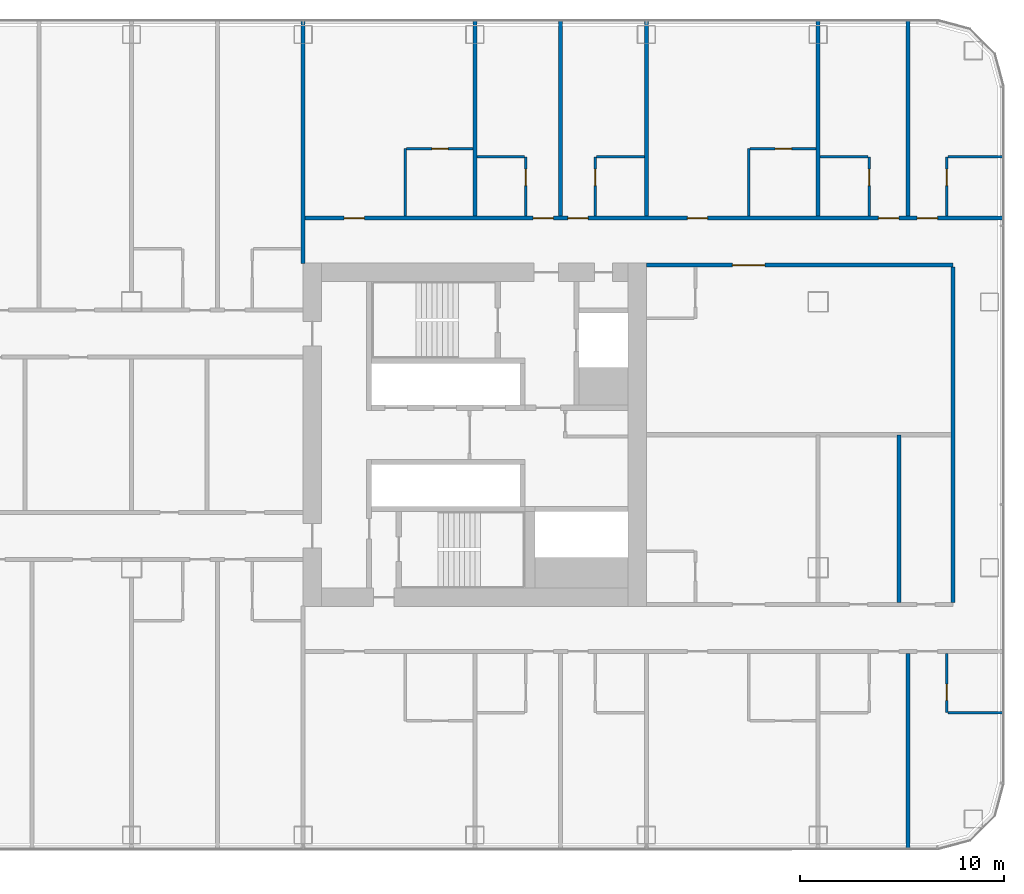
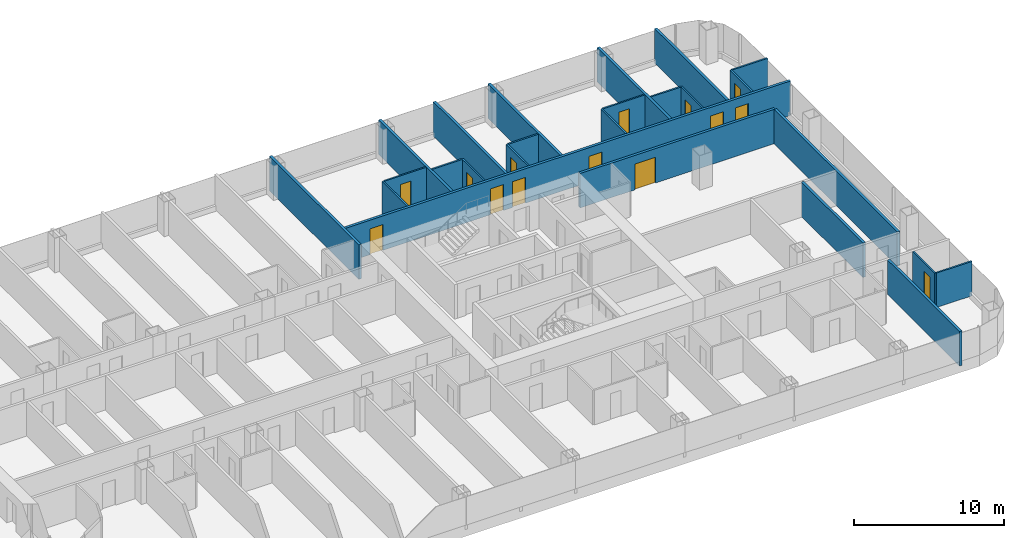
# One storey, part 19 of 28: 25 walls, 14 doors, 14 openings.
"""IFC4 building model written with IfcOpenShell, lengths in metres."""

from ifc_helpers import new_model, si_unit, direction, frame, frame_2d, origin, place, context, subcontext, project, spatial, rectangle, extrude, material, layer, layer_set, type_object, element, fill, save


model = new_model("IFC4")

# Units and contexts
model_context = context("Model", 3, precision=1e-05, world=origin(), true_north=direction((0.0, 1.0)))
body_context = subcontext(model_context, "Body", "Model", "MODEL_VIEW")
ifc_project = project(units=[si_unit("LENGTHUNIT", "METRE"), si_unit("AREAUNIT", "SQUARE_METRE"), si_unit("VOLUMEUNIT", "CUBIC_METRE"), si_unit("PLANEANGLEUNIT", "RADIAN"), si_unit("MASSUNIT", "GRAM", prefix="KILO")], contexts=[model_context])

# Site, building, storey
site_placement = place(None, origin())
site = spatial("IfcSite", under=ifc_project, at=site_placement, CompositionType="ELEMENT")
building_placement = place(site_placement, origin())
building = spatial("IfcBuilding", under=site, at=building_placement, Name="Hakoniwa Tower and Hamabe Station Hall", CompositionType="ELEMENT")
storey_placement = place(building_placement, frame((0.0, 0.0, 42.199951171875)))
storey = spatial("IfcBuildingStorey", under=building, at=storey_placement, Name="L11", CompositionType="ELEMENT", Elevation=42.199951171875)

# Walls
ifc_material_1 = material(Name="Gypsum board partition", Category="gypsum")
ifc_layer_1 = layer(ifc_material_1, 0.125)
ifc_layer_set_1 = layer_set([ifc_layer_1], Name="Bathroom Partition 125")
wall_type_1 = type_object("IfcWallType", Name="Bathroom Partition 125", PredefinedType="PARTITIONING", material=ifc_layer_set_1)
wall_1_placement = place(storey_placement, frame((48.362548828125, -13.60009765625, 0.0), z_axis=(0.0, 0.0, 1.0), x_axis=(1.0, 0.0, 0.0)))
element("IfcWall", 1, at=wall_1_placement, inside=storey, type_object=wall_type_1, Name="GW-L11-006", PredefinedType="PARTITIONING", context=body_context, shape_type="SweptSolid", body=[
    extrude(rectangle(XDim=2.737548828125, YDim=0.125, at=frame_2d((1.36865234375, 0.0))), origin(), (0.0, 0.0, 1.0), 2.800048828125),
])
for number, where, z_axis, x_axis, name in (
    (2, (25.300048828125, 13.60009765625, 0.0), (0.0, 0.0, 1.0), (1.0, 0.0, 0.0), "GW-L11-040"),
    (3, (31.16259765625, 13.60009765625, 0.0), (0.0, 0.0, 1.0), (1.0, 0.0, 0.0), "GW-L11-041"),
    (4, (42.10009765625, 13.60009765625, 0.0), (0.0, 0.0, 1.0), (1.0, 0.0, 0.0), "GW-L11-042"),
):
    element("IfcWall", number, at=place(storey_placement, frame(where, z_axis=z_axis, x_axis=x_axis)), inside=storey, type_object=wall_type_1, Name=name, PredefinedType="PARTITIONING", context=body_context, shape_type="SweptSolid", body=[
        extrude(rectangle(XDim=2.33740234375, YDim=0.125, at=frame_2d((1.168701171875, 0.0))), origin(), (0.0, 0.0, 1.0), 2.800048828125),
    ])
wall_2_placement = place(storey_placement, frame((48.362548828125, 13.60009765625, 0.0), z_axis=(0.0, 0.0, 1.0), x_axis=(1.0, 0.0, 0.0)))
element("IfcWall", 5, at=wall_2_placement, inside=storey, type_object=wall_type_1, Name="GW-L11-043", PredefinedType="PARTITIONING", context=body_context, shape_type="SweptSolid", body=[
    extrude(rectangle(XDim=2.737548828125, YDim=0.125, at=frame_2d((1.36865234375, 0.0))), origin(), (0.0, 0.0, 1.0), 2.800048828125),
])

# Wall, opening, door
wall_3_placement = place(storey_placement, frame((21.862548828125, 14.0, 0.0), z_axis=(0.0, 0.0, 1.0), x_axis=(1.0, 0.0, 0.0)))
wall_3 = element("IfcWall", 6, at=wall_3_placement, inside=storey, type_object=wall_type_1, Name="GW-L11-046", PredefinedType="PARTITIONING", context=body_context, shape_type="SweptSolid", body=[
    extrude(rectangle(XDim=3.237548828125, YDim=0.125, at=frame_2d((1.61865234375, 0.0))), origin(), (0.0, 0.0, 1.0), 2.800048828125),
])
opening_1_placement = place(wall_3_placement, frame((1.237548828125, 0.0, 0.0)))
opening_1 = element("IfcOpeningElement", 7, at=opening_1_placement, cuts=wall_3, Name="Opening GD-G1C1-66", PredefinedType="OPENING", context=body_context, shape_type="SweptSolid", body=[
    extrude(rectangle(XDim=0.800048828125, YDim=2.10009765625, at=frame_2d((0.39990234375, 1.050048828125))), frame((0.0, 0.072509765625, 0.0), z_axis=(0.0, -1.0, 0.0), x_axis=(1.0, 0.0, 0.0)), (0.0, 0.0, 1.0), 0.14501953125),
])
ifc_material_2 = material(Name="Timber door leaf", Category="wood")
door_type_1 = type_object("IfcDoorType", Name="Bathroom Door 800", OperationType="SINGLE_SWING_LEFT", PredefinedType="DOOR", material=ifc_material_2)
door_1_placement = place(opening_1_placement, origin())
door_1 = element("IfcDoor", 8, at=door_1_placement, inside=storey, type_object=door_type_1, Name="Door GD-G1C1-66", OperationType="SINGLE_SWING_RIGHT", OverallHeight=2.10009765625, OverallWidth=0.800048828125, PredefinedType="DOOR", context=body_context, shape_type="SweptSolid", body=[
    extrude(rectangle(XDim=0.800048828125, YDim=2.10009765625, at=frame_2d((0.39990234375, 1.050048828125))), frame((0.0, 0.02490234375, 0.0), z_axis=(0.0, -1.0, 0.0), x_axis=(1.0, 0.0, 0.0)), (0.0, 0.0, 1.0), 0.050048828125),
])
fill(opening_1, door_1)

wall_4_placement = place(storey_placement, frame((38.66259765625, 14.0, 0.0), z_axis=(0.0, 0.0, 1.0), x_axis=(1.0, 0.0, 0.0)))
wall_4 = element("IfcWall", 9, at=wall_4_placement, inside=storey, type_object=wall_type_1, Name="GW-L11-047", PredefinedType="PARTITIONING", context=body_context, shape_type="SweptSolid", body=[
    extrude(rectangle(XDim=3.2373046875, YDim=0.125, at=frame_2d((1.61865234375, 0.0))), origin(), (0.0, 0.0, 1.0), 2.800048828125),
])
opening_2_placement = place(wall_4_placement, frame((1.237548828125, 0.0, 0.0)))
opening_2 = element("IfcOpeningElement", 10, at=opening_2_placement, cuts=wall_4, Name="Opening GD-G1C1-67", PredefinedType="OPENING", context=body_context, shape_type="SweptSolid", body=[
    extrude(rectangle(XDim=0.800048828125, YDim=2.10009765625, at=frame_2d((0.39990234375, 1.050048828125))), frame((0.0, 0.072509765625, 0.0), z_axis=(0.0, -1.0, 0.0), x_axis=(1.0, 0.0, 0.0)), (0.0, 0.0, 1.0), 0.14501953125),
])
door_2_placement = place(opening_2_placement, origin())
door_2 = element("IfcDoor", 11, at=door_2_placement, inside=storey, type_object=door_type_1, Name="Door GD-G1C1-67", OperationType="SINGLE_SWING_LEFT", OverallHeight=2.10009765625, OverallWidth=0.800048828125, PredefinedType="DOOR", context=body_context, shape_type="SweptSolid", body=[
    extrude(rectangle(XDim=0.800048828125, YDim=2.10009765625, at=frame_2d((0.39990234375, 1.050048828125))), frame((0.0, 0.02490234375, 0.0), z_axis=(0.0, -1.0, 0.0), x_axis=(1.0, 0.0, 0.0)), (0.0, 0.0, 1.0), 0.050048828125),
])
fill(opening_2, door_2)

# Wall
wall_5_placement = place(storey_placement, frame((21.800048828125, 10.699951171875, 0.0), z_axis=(0.0, 0.0, 1.0), x_axis=(0.0, 1.0, 0.0)))
element("IfcWall", 12, at=wall_5_placement, inside=storey, type_object=wall_type_1, Name="GW-L11-106", PredefinedType="PARTITIONING", context=body_context, shape_type="SweptSolid", body=[
    extrude(rectangle(XDim=3.300048828125, YDim=0.125, at=frame_2d((1.64990234375, 0.0))), origin(), (0.0, 0.0, 1.0), 2.800048828125),
])

# Wall, opening, door
wall_6_placement = place(storey_placement, frame((27.699951171875, 10.699951171875, 0.0), z_axis=(0.0, 0.0, 1.0), x_axis=(0.0, 1.0, 0.0)))
wall_6 = element("IfcWall", 13, at=wall_6_placement, inside=storey, type_object=wall_type_1, Name="GW-L11-110", PredefinedType="PARTITIONING", context=body_context, shape_type="SweptSolid", body=[
    extrude(rectangle(XDim=2.900146484375, YDim=0.125, at=frame_2d((1.4501953125, 0.0))), origin(), (0.0, 0.0, 1.0), 2.800048828125),
])
opening_3_placement = place(wall_6_placement, frame((1.5, 0.0, 0.0)))
opening_3 = element("IfcOpeningElement", 14, at=opening_3_placement, cuts=wall_6, Name="Opening GD-G1C1-83", PredefinedType="OPENING", context=body_context, shape_type="SweptSolid", body=[
    extrude(rectangle(XDim=0.800048828125, YDim=2.10009765625, at=frame_2d((0.39990234375, 1.050048828125))), frame((0.0, 0.072509765625, 0.0), z_axis=(0.0, -1.0, 0.0), x_axis=(1.0, 0.0, 0.0)), (0.0, 0.0, 1.0), 0.14501953125),
])
door_3_placement = place(opening_3_placement, origin())
door_3 = element("IfcDoor", 15, at=door_3_placement, inside=storey, type_object=door_type_1, Name="Door GD-G1C1-83", OperationType="SINGLE_SWING_LEFT", OverallHeight=2.10009765625, OverallWidth=0.800048828125, PredefinedType="DOOR", context=body_context, shape_type="SweptSolid", body=[
    extrude(rectangle(XDim=0.800048828125, YDim=2.10009765625, at=frame_2d((0.39990234375, 1.050048828125))), frame((0.0, 0.02490234375, 0.0), z_axis=(0.0, -1.0, 0.0), x_axis=(1.0, 0.0, 0.0)), (0.0, 0.0, 1.0), 0.050048828125),
])
fill(opening_3, door_3)

wall_7_placement = place(storey_placement, frame((31.10009765625, 10.699951171875, 0.0), z_axis=(0.0, 0.0, 1.0), x_axis=(0.0, 1.0, 0.0)))
wall_7 = element("IfcWall", 16, at=wall_7_placement, inside=storey, type_object=wall_type_1, Name="GW-L11-114", PredefinedType="PARTITIONING", context=body_context, shape_type="SweptSolid", body=[
    extrude(rectangle(XDim=2.900146484375, YDim=0.125, at=frame_2d((1.4501953125, 0.0))), origin(), (0.0, 0.0, 1.0), 2.800048828125),
])
opening_4_placement = place(wall_7_placement, frame((1.5, 0.0, 0.0)))
opening_4 = element("IfcOpeningElement", 17, at=opening_4_placement, cuts=wall_7, Name="Opening GD-G1C1-85", PredefinedType="OPENING", context=body_context, shape_type="SweptSolid", body=[
    extrude(rectangle(XDim=0.800048828125, YDim=2.10009765625, at=frame_2d((0.39990234375, 1.050048828125))), frame((0.0, 0.072509765625, 0.0), z_axis=(0.0, -1.0, 0.0), x_axis=(1.0, 0.0, 0.0)), (0.0, 0.0, 1.0), 0.14501953125),
])
door_4_placement = place(opening_4_placement, origin())
door_4 = element("IfcDoor", 18, at=door_4_placement, inside=storey, type_object=door_type_1, Name="Door GD-G1C1-85", OperationType="SINGLE_SWING_RIGHT", OverallHeight=2.10009765625, OverallWidth=0.800048828125, PredefinedType="DOOR", context=body_context, shape_type="SweptSolid", body=[
    extrude(rectangle(XDim=0.800048828125, YDim=2.10009765625, at=frame_2d((0.39990234375, 1.050048828125))), frame((0.0, 0.02490234375, 0.0), z_axis=(0.0, -1.0, 0.0), x_axis=(1.0, 0.0, 0.0)), (0.0, 0.0, 1.0), 0.050048828125),
])
fill(opening_4, door_4)

# Wall
wall_8_placement = place(storey_placement, frame((38.60009765625, 10.699951171875, 0.0), z_axis=(0.0, 0.0, 1.0), x_axis=(0.0, 1.0, 0.0)))
element("IfcWall", 19, at=wall_8_placement, inside=storey, type_object=wall_type_1, Name="GW-L11-120", PredefinedType="PARTITIONING", context=body_context, shape_type="SweptSolid", body=[
    extrude(rectangle(XDim=3.300048828125, YDim=0.125, at=frame_2d((1.64990234375, 0.0))), origin(), (0.0, 0.0, 1.0), 2.800048828125),
])

# Wall, opening, door
wall_9_placement = place(storey_placement, frame((44.5, 10.699951171875, 0.0), z_axis=(0.0, 0.0, 1.0), x_axis=(0.0, 1.0, 0.0)))
wall_9 = element("IfcWall", 20, at=wall_9_placement, inside=storey, type_object=wall_type_1, Name="GW-L11-125", PredefinedType="PARTITIONING", context=body_context, shape_type="SweptSolid", body=[
    extrude(rectangle(XDim=2.900146484375, YDim=0.125, at=frame_2d((1.4501953125, 0.0))), origin(), (0.0, 0.0, 1.0), 2.800048828125),
])
opening_5_placement = place(wall_9_placement, frame((1.5, 0.0, 0.0)))
opening_5 = element("IfcOpeningElement", 21, at=opening_5_placement, cuts=wall_9, Name="Opening GD-G1C1-89", PredefinedType="OPENING", context=body_context, shape_type="SweptSolid", body=[
    extrude(rectangle(XDim=0.800048828125, YDim=2.10009765625, at=frame_2d((0.39990234375, 1.050048828125))), frame((0.0, 0.072509765625, 0.0), z_axis=(0.0, -1.0, 0.0), x_axis=(1.0, 0.0, 0.0)), (0.0, 0.0, 1.0), 0.14501953125),
])
door_5_placement = place(opening_5_placement, origin())
door_5 = element("IfcDoor", 22, at=door_5_placement, inside=storey, type_object=door_type_1, Name="Door GD-G1C1-89", OperationType="SINGLE_SWING_LEFT", OverallHeight=2.10009765625, OverallWidth=0.800048828125, PredefinedType="DOOR", context=body_context, shape_type="SweptSolid", body=[
    extrude(rectangle(XDim=0.800048828125, YDim=2.10009765625, at=frame_2d((0.39990234375, 1.050048828125))), frame((0.0, 0.02490234375, 0.0), z_axis=(0.0, -1.0, 0.0), x_axis=(1.0, 0.0, 0.0)), (0.0, 0.0, 1.0), 0.050048828125),
])
fill(opening_5, door_5)

wall_10_placement = place(storey_placement, frame((48.300048828125, -13.60009765625, 0.0), z_axis=(0.0, 0.0, 1.0), x_axis=(0.0, 1.0, 0.0)))
wall_10 = element("IfcWall", 23, at=wall_10_placement, inside=storey, type_object=wall_type_1, Name="GW-L11-129", PredefinedType="PARTITIONING", context=body_context, shape_type="SweptSolid", body=[
    extrude(rectangle(XDim=2.900146484375, YDim=0.125, at=frame_2d((1.4501953125, 0.0))), origin(), (0.0, 0.0, 1.0), 2.800048828125),
])
opening_6_placement = place(wall_10_placement, frame((0.60009765625, 0.0, 0.0)))
opening_6 = element("IfcOpeningElement", 24, at=opening_6_placement, cuts=wall_10, Name="Opening GD-G1C1-90", PredefinedType="OPENING", context=body_context, shape_type="SweptSolid", body=[
    extrude(rectangle(XDim=0.800048828125, YDim=2.10009765625, at=frame_2d((0.39990234375, 1.050048828125))), frame((0.0, 0.072509765625, 0.0), z_axis=(0.0, -1.0, 0.0), x_axis=(1.0, 0.0, 0.0)), (0.0, 0.0, 1.0), 0.14501953125),
])
door_6_placement = place(opening_6_placement, origin())
door_6 = element("IfcDoor", 25, at=door_6_placement, inside=storey, type_object=door_type_1, Name="Door GD-G1C1-90", OperationType="SINGLE_SWING_LEFT", OverallHeight=2.10009765625, OverallWidth=0.800048828125, PredefinedType="DOOR", context=body_context, shape_type="SweptSolid", body=[
    extrude(rectangle(XDim=0.800048828125, YDim=2.10009765625, at=frame_2d((0.39990234375, 1.050048828125))), frame((0.0, 0.02490234375, 0.0), z_axis=(0.0, -1.0, 0.0), x_axis=(1.0, 0.0, 0.0)), (0.0, 0.0, 1.0), 0.050048828125),
])
fill(opening_6, door_6)

wall_11_placement = place(storey_placement, frame((48.300048828125, 10.699951171875, 0.0), z_axis=(0.0, 0.0, 1.0), x_axis=(0.0, 1.0, 0.0)))
wall_11 = element("IfcWall", 26, at=wall_11_placement, inside=storey, type_object=wall_type_1, Name="GW-L11-130", PredefinedType="PARTITIONING", context=body_context, shape_type="SweptSolid", body=[
    extrude(rectangle(XDim=2.900146484375, YDim=0.125, at=frame_2d((1.4501953125, 0.0))), origin(), (0.0, 0.0, 1.0), 2.800048828125),
])
opening_7_placement = place(wall_11_placement, frame((1.5, 0.0, 0.0)))
opening_7 = element("IfcOpeningElement", 27, at=opening_7_placement, cuts=wall_11, Name="Opening GD-G1C1-91", PredefinedType="OPENING", context=body_context, shape_type="SweptSolid", body=[
    extrude(rectangle(XDim=0.800048828125, YDim=2.10009765625, at=frame_2d((0.39990234375, 1.050048828125))), frame((0.0, 0.072509765625, 0.0), z_axis=(0.0, -1.0, 0.0), x_axis=(1.0, 0.0, 0.0)), (0.0, 0.0, 1.0), 0.14501953125),
])
door_7_placement = place(opening_7_placement, origin())
door_7 = element("IfcDoor", 28, at=door_7_placement, inside=storey, type_object=door_type_1, Name="Door GD-G1C1-91", OperationType="SINGLE_SWING_RIGHT", OverallHeight=2.10009765625, OverallWidth=0.800048828125, PredefinedType="DOOR", context=body_context, shape_type="SweptSolid", body=[
    extrude(rectangle(XDim=0.800048828125, YDim=2.10009765625, at=frame_2d((0.39990234375, 1.050048828125))), frame((0.0, 0.02490234375, 0.0), z_axis=(0.0, -1.0, 0.0), x_axis=(1.0, 0.0, 0.0)), (0.0, 0.0, 1.0), 0.050048828125),
])
fill(opening_7, door_7)

ifc_material_3 = material(Name="Fire-rated gypsum board partition", Category="gypsum")
ifc_layer_2 = layer(ifc_material_3, 0.199951171875)
ifc_layer_set_2 = layer_set([ifc_layer_2], Name="Corridor Wall 200")
wall_type_2 = type_object("IfcWallType", Name="Corridor Wall 200", PredefinedType="PARTITIONING", material=ifc_layer_set_2)
wall_12_placement = place(storey_placement, frame((33.60009765625, 8.300048828125, 0.0), z_axis=(0.0, 0.0, 1.0), x_axis=(1.0, 0.0, 0.0)))
wall_12 = element("IfcWall", 29, at=wall_12_placement, inside=storey, type_object=wall_type_2, Name="GW-L11-028", PredefinedType="PARTITIONING", context=body_context, shape_type="SweptSolid", body=[
    extrude(rectangle(XDim=15.0, YDim=0.199951171875, at=frame_2d((7.5, 0.0))), origin(), (0.0, 0.0, 1.0), 2.800048828125),
])
opening_8_placement = place(wall_12_placement, frame((4.199951171875, 0.0, 0.0)))
opening_8 = element("IfcOpeningElement", 30, at=opening_8_placement, cuts=wall_12, Name="Opening GD-G1C1-50", PredefinedType="OPENING", context=body_context, shape_type="SweptSolid", body=[
    extrude(rectangle(XDim=1.60009765625, YDim=2.10009765625, at=frame_2d((0.800048828125, 1.050048828125))), frame((0.0, 0.10986328125, 0.0), z_axis=(0.0, -1.0, 0.0), x_axis=(1.0, 0.0, 0.0)), (0.0, 0.0, 1.0), 0.219970703125),
])
ifc_material_4 = material(Name="Timber door leaf", Category="wood")
door_type_2 = type_object("IfcDoorType", Name="Double Door 1600", OperationType="DOUBLE_DOOR_SINGLE_SWING", PredefinedType="DOOR", material=ifc_material_4)
door_8_placement = place(opening_8_placement, origin())
door_8 = element("IfcDoor", 31, at=door_8_placement, inside=storey, type_object=door_type_2, Name="Door GD-G1C1-50", OperationType="DOUBLE_DOOR_SINGLE_SWING", OverallHeight=2.10009765625, OverallWidth=1.60009765625, PredefinedType="DOOR", context=body_context, shape_type="SweptSolid", body=[
    extrude(rectangle(XDim=1.60009765625, YDim=2.10009765625, at=frame_2d((0.800048828125, 1.050048828125))), frame((0.0, 0.02490234375, 0.0), z_axis=(0.0, -1.0, 0.0), x_axis=(1.0, 0.0, 0.0)), (0.0, 0.0, 1.0), 0.050048828125),
])
fill(opening_8, door_8)

# Wall, openings, doors
wall_13_placement = place(storey_placement, frame((16.800048828125, 10.60009765625, 0.0), z_axis=(0.0, 0.0, 1.0), x_axis=(1.0, 0.0, 0.0)))
wall_13 = element("IfcWall", 32, at=wall_13_placement, inside=storey, type_object=wall_type_2, Name="GW-L11-035", PredefinedType="PARTITIONING", context=body_context, shape_type="SweptSolid", body=[
    extrude(rectangle(XDim=34.300048828125, YDim=0.199951171875, at=frame_2d((17.14990234375, 0.0))), origin(), (0.0, 0.0, 1.0), 2.800048828125),
])
opening_9_placement = place(wall_13_placement, frame((2.0, 0.0, 0.0)))
opening_9 = element("IfcOpeningElement", 33, at=opening_9_placement, cuts=wall_13, Name="Opening GD-G1C1-58", PredefinedType="OPENING", context=body_context, shape_type="SweptSolid", body=[
    extrude(rectangle(XDim=1.0, YDim=2.10009765625, at=frame_2d((0.5, 1.050048828125))), frame((0.0, 0.10986328125, 0.0), z_axis=(0.0, -1.0, 0.0), x_axis=(1.0, 0.0, 0.0)), (0.0, 0.0, 1.0), 0.219970703125),
])
opening_10_placement = place(wall_13_placement, frame((11.25, 0.0, 0.0)))
opening_10 = element("IfcOpeningElement", 34, at=opening_10_placement, cuts=wall_13, Name="Opening GD-G1C1-59", PredefinedType="OPENING", context=body_context, shape_type="SweptSolid", body=[
    extrude(rectangle(XDim=1.0, YDim=2.10009765625, at=frame_2d((0.5, 1.050048828125))), frame((0.0, 0.10986328125, 0.0), z_axis=(0.0, -1.0, 0.0), x_axis=(1.0, 0.0, 0.0)), (0.0, 0.0, 1.0), 0.219970703125),
])
opening_11_placement = place(wall_13_placement, frame((12.949951171875, 0.0, 0.0)))
opening_11 = element("IfcOpeningElement", 35, at=opening_11_placement, cuts=wall_13, Name="Opening GD-G1C1-60", PredefinedType="OPENING", context=body_context, shape_type="SweptSolid", body=[
    extrude(rectangle(XDim=1.0, YDim=2.10009765625, at=frame_2d((0.5, 1.050048828125))), frame((0.0, 0.10986328125, 0.0), z_axis=(0.0, -1.0, 0.0), x_axis=(1.0, 0.0, 0.0)), (0.0, 0.0, 1.0), 0.219970703125),
])
opening_12_placement = place(wall_13_placement, frame((18.800048828125, 0.0, 0.0)))
opening_12 = element("IfcOpeningElement", 36, at=opening_12_placement, cuts=wall_13, Name="Opening GD-G1C1-61", PredefinedType="OPENING", context=body_context, shape_type="SweptSolid", body=[
    extrude(rectangle(XDim=1.0, YDim=2.10009765625, at=frame_2d((0.5, 1.050048828125))), frame((0.0, 0.10986328125, 0.0), z_axis=(0.0, -1.0, 0.0), x_axis=(1.0, 0.0, 0.0)), (0.0, 0.0, 1.0), 0.219970703125),
])
opening_13_placement = place(wall_13_placement, frame((28.14990234375, 0.0, 0.0)))
opening_13 = element("IfcOpeningElement", 37, at=opening_13_placement, cuts=wall_13, Name="Opening GD-G1C1-62", PredefinedType="OPENING", context=body_context, shape_type="SweptSolid", body=[
    extrude(rectangle(XDim=1.0, YDim=2.10009765625, at=frame_2d((0.5, 1.050048828125))), frame((0.0, 0.10986328125, 0.0), z_axis=(0.0, -1.0, 0.0), x_axis=(1.0, 0.0, 0.0)), (0.0, 0.0, 1.0), 0.219970703125),
])
opening_14_placement = place(wall_13_placement, frame((30.050048828125, 0.0, 0.0)))
opening_14 = element("IfcOpeningElement", 38, at=opening_14_placement, cuts=wall_13, Name="Opening GD-G1C1-63", PredefinedType="OPENING", context=body_context, shape_type="SweptSolid", body=[
    extrude(rectangle(XDim=1.0, YDim=2.10009765625, at=frame_2d((0.5, 1.050048828125))), frame((0.0, 0.10986328125, 0.0), z_axis=(0.0, -1.0, 0.0), x_axis=(1.0, 0.0, 0.0)), (0.0, 0.0, 1.0), 0.219970703125),
])
ifc_material_5 = material(Name="Timber door leaf", Category="wood")
door_type_3 = type_object("IfcDoorType", Name="Guest Entrance Door 1000", OperationType="SINGLE_SWING_LEFT", PredefinedType="DOOR", material=ifc_material_5)
door_9_placement = place(opening_9_placement, origin())
door_9 = element("IfcDoor", 39, at=door_9_placement, inside=storey, type_object=door_type_3, Name="Door GD-G1C1-58", OperationType="SINGLE_SWING_RIGHT", OverallHeight=2.10009765625, OverallWidth=1.0, PredefinedType="DOOR", context=body_context, shape_type="SweptSolid", body=[
    extrude(rectangle(XDim=1.0, YDim=2.10009765625, at=frame_2d((0.5, 1.050048828125))), frame((0.0, 0.02490234375, 0.0), z_axis=(0.0, -1.0, 0.0), x_axis=(1.0, 0.0, 0.0)), (0.0, 0.0, 1.0), 0.050048828125),
])
fill(opening_9, door_9)
door_10_placement = place(opening_10_placement, origin())
door_10 = element("IfcDoor", 40, at=door_10_placement, inside=storey, type_object=door_type_3, Name="Door GD-G1C1-59", OperationType="SINGLE_SWING_LEFT", OverallHeight=2.10009765625, OverallWidth=1.0, PredefinedType="DOOR", context=body_context, shape_type="SweptSolid", body=[
    extrude(rectangle(XDim=1.0, YDim=2.10009765625, at=frame_2d((0.5, 1.050048828125))), frame((0.0, 0.02490234375, 0.0), z_axis=(0.0, -1.0, 0.0), x_axis=(1.0, 0.0, 0.0)), (0.0, 0.0, 1.0), 0.050048828125),
])
fill(opening_10, door_10)
door_11_placement = place(opening_11_placement, origin())
door_11 = element("IfcDoor", 41, at=door_11_placement, inside=storey, type_object=door_type_3, Name="Door GD-G1C1-60", OperationType="SINGLE_SWING_LEFT", OverallHeight=2.10009765625, OverallWidth=1.0, PredefinedType="DOOR", context=body_context, shape_type="SweptSolid", body=[
    extrude(rectangle(XDim=1.0, YDim=2.10009765625, at=frame_2d((0.5, 1.050048828125))), frame((0.0, 0.02490234375, 0.0), z_axis=(0.0, -1.0, 0.0), x_axis=(1.0, 0.0, 0.0)), (0.0, 0.0, 1.0), 0.050048828125),
])
fill(opening_11, door_11)
door_12_placement = place(opening_12_placement, origin())
door_12 = element("IfcDoor", 42, at=door_12_placement, inside=storey, type_object=door_type_3, Name="Door GD-G1C1-61", OperationType="SINGLE_SWING_RIGHT", OverallHeight=2.10009765625, OverallWidth=1.0, PredefinedType="DOOR", context=body_context, shape_type="SweptSolid", body=[
    extrude(rectangle(XDim=1.0, YDim=2.10009765625, at=frame_2d((0.5, 1.050048828125))), frame((0.0, 0.02490234375, 0.0), z_axis=(0.0, -1.0, 0.0), x_axis=(1.0, 0.0, 0.0)), (0.0, 0.0, 1.0), 0.050048828125),
])
fill(opening_12, door_12)
door_13_placement = place(opening_13_placement, origin())
door_13 = element("IfcDoor", 43, at=door_13_placement, inside=storey, type_object=door_type_3, Name="Door GD-G1C1-62", OperationType="SINGLE_SWING_LEFT", OverallHeight=2.10009765625, OverallWidth=1.0, PredefinedType="DOOR", context=body_context, shape_type="SweptSolid", body=[
    extrude(rectangle(XDim=1.0, YDim=2.10009765625, at=frame_2d((0.5, 1.050048828125))), frame((0.0, 0.02490234375, 0.0), z_axis=(0.0, -1.0, 0.0), x_axis=(1.0, 0.0, 0.0)), (0.0, 0.0, 1.0), 0.050048828125),
])
fill(opening_13, door_13)
door_14_placement = place(opening_14_placement, origin())
door_14 = element("IfcDoor", 44, at=door_14_placement, inside=storey, type_object=door_type_3, Name="Door GD-G1C1-63", OperationType="SINGLE_SWING_RIGHT", OverallHeight=2.10009765625, OverallWidth=1.0, PredefinedType="DOOR", context=body_context, shape_type="SweptSolid", body=[
    extrude(rectangle(XDim=1.0, YDim=2.10009765625, at=frame_2d((0.5, 1.050048828125))), frame((0.0, 0.02490234375, 0.0), z_axis=(0.0, -1.0, 0.0), x_axis=(1.0, 0.0, 0.0)), (0.0, 0.0, 1.0), 0.050048828125),
])
fill(opening_14, door_14)

# Walls
ifc_material_6 = material(Name="Fire-rated gypsum board partition", Category="gypsum")
ifc_layer_3 = layer(ifc_material_6, 0.199951171875)
ifc_layer_set_3 = layer_set([ifc_layer_3], Name="Party Wall 200")
wall_type_3 = type_object("IfcWallType", Name="Party Wall 200", PredefinedType="PARTITIONING", material=ifc_layer_set_3)
wall_14_placement = place(storey_placement, frame((16.800048828125, 8.389892578125, 0.0), z_axis=(0.0, 0.0, 1.0), x_axis=(0.0, 1.0, 0.0)))
element("IfcWall", 45, at=wall_14_placement, inside=storey, type_object=wall_type_3, Name="GW-L11-104", PredefinedType="PARTITIONING", context=body_context, shape_type="SweptSolid", body=[
    extrude(rectangle(XDim=11.91015625, YDim=0.199951171875, at=frame_2d((5.955078125, 0.0))), origin(), (0.0, 0.0, 1.0), 2.800048828125),
])
for number, where, z_axis, x_axis, name in (
    (46, (25.199951171875, 10.699951171875, 0.0), (0.0, 0.0, 1.0), (0.0, 1.0, 0.0), "GW-L11-108"),
    (47, (29.39990234375, 10.699951171875, 0.0), (0.0, 0.0, 1.0), (0.0, 1.0, 0.0), "GW-L11-112"),
    (48, (33.60009765625, 10.699951171875, 0.0), (0.0, 0.0, 1.0), (0.0, 1.0, 0.0), "GW-L11-116"),
    (49, (42.0, 10.699951171875, 0.0), (0.0, 0.0, 1.0), (0.0, 1.0, 0.0), "GW-L11-123"),
):
    element("IfcWall", number, at=place(storey_placement, frame(where, z_axis=z_axis, x_axis=x_axis)), inside=storey, type_object=wall_type_3, Name=name, PredefinedType="PARTITIONING", context=body_context, shape_type="SweptSolid", body=[
        extrude(rectangle(XDim=9.60009765625, YDim=0.199951171875, at=frame_2d((4.800048828125, 0.0))), origin(), (0.0, 0.0, 1.0), 2.800048828125),
    ])
wall_15_placement = place(storey_placement, frame((45.9599609375, -8.199951171875, 0.0), z_axis=(0.0, 0.0, 1.0), x_axis=(0.0, 1.0, 0.0)))
element("IfcWall", 50, at=wall_15_placement, inside=storey, type_object=wall_type_3, Name="GW-L11-126", PredefinedType="PARTITIONING", context=body_context, shape_type="SweptSolid", body=[
    extrude(rectangle(XDim=8.199951171875, YDim=0.199951171875, at=frame_2d((4.10009765625, 0.0))), origin(), (0.0, 0.0, 1.0), 2.800048828125),
])
for number, where, z_axis, x_axis, name in (
    (51, (46.39990234375, -20.300048828125, 0.0), (0.0, 0.0, 1.0), (0.0, 1.0, 0.0), "GW-L11-127"),
    (52, (46.39990234375, 10.699951171875, 0.0), (0.0, 0.0, 1.0), (0.0, 1.0, 0.0), "GW-L11-128"),
):
    element("IfcWall", number, at=place(storey_placement, frame(where, z_axis=z_axis, x_axis=x_axis)), inside=storey, type_object=wall_type_3, Name=name, PredefinedType="PARTITIONING", context=body_context, shape_type="SweptSolid", body=[
        extrude(rectangle(XDim=9.60009765625, YDim=0.199951171875, at=frame_2d((4.800048828125, 0.0))), origin(), (0.0, 0.0, 1.0), 2.800048828125),
    ])
wall_16_placement = place(storey_placement, frame((48.60009765625, -8.199951171875, 0.0), z_axis=(0.0, 0.0, 1.0), x_axis=(0.0, 1.0, 0.0)))
element("IfcWall", 53, at=wall_16_placement, inside=storey, type_object=wall_type_3, Name="GW-L11-131", PredefinedType="PARTITIONING", context=body_context, shape_type="SweptSolid", body=[
    extrude(rectangle(XDim=16.39990234375, YDim=0.199951171875, at=frame_2d((8.199951171875, 0.0))), origin(), (0.0, 0.0, 1.0), 2.800048828125),
])

save(model, "model.ifc")
